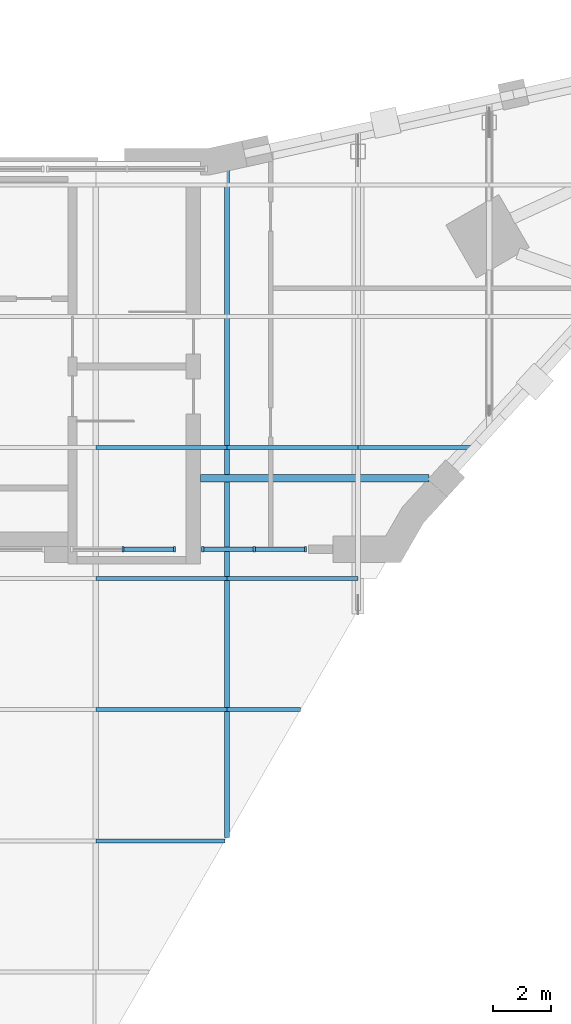
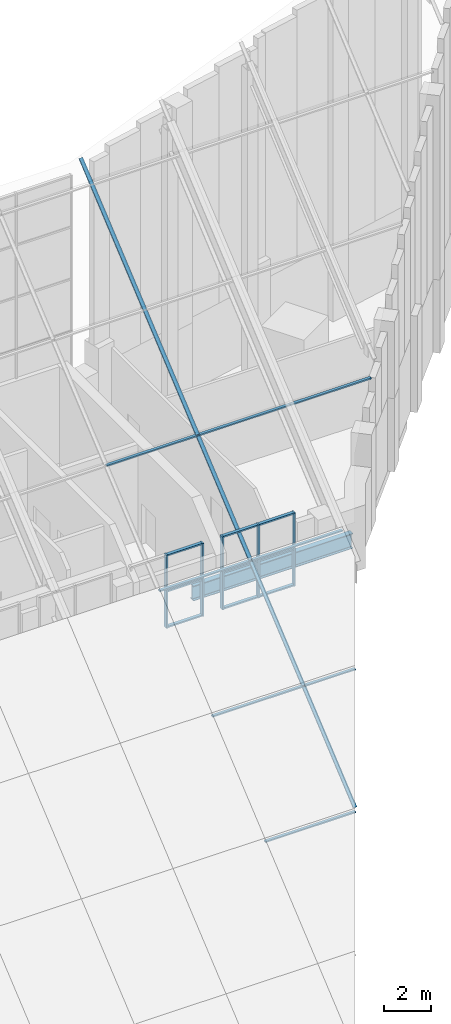
# One storey, part 5 of 19: 23 members, 1 beam, 5 elements without a shape of their own.
"""IFC4 building model written with IfcOpenShell, lengths in metres."""

from ifc_helpers import new_model, si_unit, direction, frame, origin, origin_2d, place, context, subcontext, project, spatial, rectangle, i_section, extrude, material, material_profile, profile_set, type_object, element, aggregate, save


model = new_model("IFC4")

# Units and contexts
model_context = context("Model", 3, precision=1e-05, world=origin(), true_north=direction((0.0, 1.0)))
body_context = subcontext(model_context, "Body", "Model", "MODEL_VIEW")
ifc_project = project(units=[si_unit("LENGTHUNIT", "METRE"), si_unit("AREAUNIT", "SQUARE_METRE"), si_unit("VOLUMEUNIT", "CUBIC_METRE"), si_unit("PLANEANGLEUNIT", "RADIAN"), si_unit("MASSUNIT", "GRAM", prefix="KILO")], contexts=[model_context])

# Site, building, storey
site_placement = place(None, origin())
site = spatial("IfcSite", under=ifc_project, at=site_placement, CompositionType="ELEMENT")
building_placement = place(site_placement, origin())
building = spatial("IfcBuilding", under=site, at=building_placement, Name="Calabash Gate Tower", CompositionType="ELEMENT")
storey_placement = place(building_placement, frame((0.0, 0.0, 335.5)))
storey = spatial("IfcBuildingStorey", under=building, at=storey_placement, Name="L78", CompositionType="ELEMENT", Elevation=335.5)

# Beam
ifc_material_1 = material(Name="Steel ASTM A992 Gr50", Category="steel")
ifc_material_profile_1 = material_profile(ifc_material_1, i_section(OverallWidth=0.2666015625, OverallDepth=0.77978515625, WebThickness=0.0166015625, FlangeThickness=0.030029296875, FilletRadius=0.0166015625, at=origin_2d()))
ifc_profile_set_1 = profile_set([ifc_material_profile_1], Name="Steel ASTM A992 Gr50")
beam_type = type_object("IfcBeamType", Name="Girder W30x148 ASTM A992 Gr50", PredefinedType="BEAM", material=ifc_profile_set_1)
beam_placement = place(storey_placement, frame((20.43310546875, 8.18701171875, -0.590087890625), z_axis=(-1.0, 0.0, 0.0), x_axis=(0.0, -1.0, 0.0)))
element("IfcBeam", 1, at=beam_placement, inside=storey, type_object=beam_type, Name="Girder L78 2", PredefinedType="BEAM", context=body_context, shape_type="SweptSolid", body=[
    extrude(i_section(OverallWidth=0.2666015625, OverallDepth=0.77978515625, WebThickness=0.0166015625, FlangeThickness=0.030029296875, FilletRadius=0.0166015625, at=origin_2d()), origin(), (0.0, 0.0, 1.0), 7.8330078125),
])

# Curtain wall, member
ifc_material_2 = material(Name="Anodised aluminium frame, bronze finish, clear laminated low-emissivity glazing", Category="aluminium")
curtain_wall_type_1 = type_object("IfcCurtainWallType", Name="Curtain wall CWC crown roof glazing", PredefinedType="NOTDEFINED", material=ifc_material_2)
curtain_wall_1_placement = place(storey_placement, origin())
curtain_wall_1 = element("IfcCurtainWall", 2, at=curtain_wall_1_placement, inside=storey, type_object=curtain_wall_type_1, Name="Curtain wall CWC roof glazing strip 9", PredefinedType="NOTDEFINED")
ifc_material_3 = material(Name="Anodised aluminium frame, bronze finish", Category="aluminium")
ifc_material_profile_2 = material_profile(ifc_material_3, rectangle(XDim=0.179931640625, YDim=0.06494140625, at=origin_2d()))
ifc_profile_set_2 = profile_set([ifc_material_profile_2], Name="Anodised aluminium frame, bronze finish")
member_type_1 = type_object("IfcMemberType", Name="Mullion CWC 65x180", PredefinedType="MULLION", material=ifc_profile_set_2)
member_1_placement = place(storey_placement, frame((13.5, -4.124755859375, -4.607177734375), z_axis=(0.0, 0.766041050336, 0.642791653026), x_axis=(-1.0, 0.0, 0.0)))
member_1 = element("IfcMember", 3, at=member_1_placement, type_object=member_type_1, Name="CWC roof mullion 9.1", PredefinedType="MULLION", context=body_context, shape_type="SweptSolid", body=[
    extrude(rectangle(XDim=0.179931640625, YDim=0.06494140625, at=origin_2d()), origin(), (0.0, 0.0, 1.0), 30.43408203125),
])

# Curtain wall, members
ifc_material_4 = material(Name="Anodised aluminium frame, bronze finish, clear laminated impact-rated glazing", Category="aluminium")
curtain_wall_type_2 = type_object("IfcCurtainWallType", Name="Curtain wall CWV crown wall", PredefinedType="NOTDEFINED", material=ifc_material_4)
curtain_wall_2_placement = place(storey_placement, origin())
curtain_wall_2 = element("IfcCurtainWall", 4, at=curtain_wall_2_placement, inside=storey, type_object=curtain_wall_type_2, Name="Curtain wall CWV L78 crown1.6", PredefinedType="NOTDEFINED")
ifc_material_5 = material(Name="Anodised aluminium frame, bronze finish", Category="aluminium")
ifc_material_profile_3 = material_profile(ifc_material_5, rectangle(XDim=0.199951171875, YDim=0.074951171875, at=origin_2d()))
ifc_profile_set_3 = profile_set([ifc_material_profile_3], Name="Anodised aluminium frame, bronze finish")
member_type_2 = type_object("IfcMemberType", Name="Mullion CWV 75x200", PredefinedType="MULLION", material=ifc_profile_set_3)
member_2_placement = place(storey_placement, frame((9.93603515625, 5.75439453125, 0.0), z_axis=(0.0, 0.0, 1.0), x_axis=(0.0, 1.0, 0.0)))
member_2 = element("IfcMember", 5, at=member_2_placement, type_object=member_type_2, Name="CWV mullion 2", PredefinedType="MULLION", context=body_context, shape_type="SweptSolid", body=[
    extrude(rectangle(XDim=0.199951171875, YDim=0.074951171875, at=origin_2d()), origin(), (0.0, 0.0, 1.0), 3.800048828125),
])
member_3_placement = place(storey_placement, frame((11.698486328125, 5.75439453125, 0.0), z_axis=(0.0, 0.0, 1.0), x_axis=(0.0, 1.0, 0.0)))
member_3 = element("IfcMember", 6, at=member_3_placement, type_object=member_type_2, Name="CWV mullion 3", PredefinedType="MULLION", context=body_context, shape_type="SweptSolid", body=[
    extrude(rectangle(XDim=0.199951171875, YDim=0.074951171875, at=origin_2d()), origin(), (0.0, 0.0, 1.0), 3.800048828125),
])

curtain_wall_3_placement = place(storey_placement, origin())
curtain_wall_3 = element("IfcCurtainWall", 7, at=curtain_wall_3_placement, inside=storey, type_object=curtain_wall_type_2, Name="Curtain wall CWV L78 crown1.7", PredefinedType="NOTDEFINED")
member_4_placement = place(storey_placement, frame((12.67333984375, 5.75439453125, 0.0), z_axis=(0.0, 0.0, 1.0), x_axis=(0.0, 1.0, 0.0)))
member_4 = element("IfcMember", 8, at=member_4_placement, type_object=member_type_2, Name="CWV mullion 1", PredefinedType="MULLION", context=body_context, shape_type="SweptSolid", body=[
    extrude(rectangle(XDim=0.199951171875, YDim=0.074951171875, at=origin_2d()), origin(), (0.0, 0.0, 1.0), 3.800048828125),
])
member_5_placement = place(storey_placement, frame((14.43603515625, 5.75439453125, 0.0), z_axis=(0.0, 0.0, 1.0), x_axis=(0.0, 1.0, 0.0)))
member_5 = element("IfcMember", 9, at=member_5_placement, type_object=member_type_2, Name="CWV mullion 2", PredefinedType="MULLION", context=body_context, shape_type="SweptSolid", body=[
    extrude(rectangle(XDim=0.199951171875, YDim=0.074951171875, at=origin_2d()), origin(), (0.0, 0.0, 1.0), 3.800048828125),
])
member_6_placement = place(storey_placement, frame((16.198486328125, 5.75439453125, 0.0), z_axis=(0.0, 0.0, 1.0), x_axis=(0.0, 1.0, 0.0)))
member_6 = element("IfcMember", 10, at=member_6_placement, type_object=member_type_2, Name="CWV mullion 3", PredefinedType="MULLION", context=body_context, shape_type="SweptSolid", body=[
    extrude(rectangle(XDim=0.199951171875, YDim=0.074951171875, at=origin_2d()), origin(), (0.0, 0.0, 1.0), 3.800048828125),
])

curtain_wall_4_placement = place(storey_placement, origin())
curtain_wall_4 = element("IfcCurtainWall", 11, at=curtain_wall_4_placement, inside=storey, type_object=curtain_wall_type_1, Name="Curtain wall CWC roof glazing strip 8", PredefinedType="NOTDEFINED")
ifc_material_6 = material(Name="Anodised aluminium frame, bronze finish", Category="aluminium")
ifc_material_profile_4 = material_profile(ifc_material_6, rectangle(XDim=0.139892578125, YDim=0.06494140625, at=origin_2d()))
ifc_profile_set_4 = profile_set([ifc_material_profile_4], Name="Anodised aluminium frame, bronze finish")
member_type_3 = type_object("IfcMemberType", Name="Transom CWC 65x140", PredefinedType="USERDEFINED", material=ifc_profile_set_4)
member_7_placement = place(storey_placement, frame((9.0, -4.251953125, -4.713623046875), z_axis=(1.0, 0.0, 0.0), x_axis=(0.0, 1.0, 0.0)))
member_7 = element("IfcMember", 12, at=member_7_placement, type_object=member_type_3, Name="CWC roof transom 8.2", ObjectType="TRANSOM", PredefinedType="USERDEFINED", context=body_context, shape_type="SweptSolid", body=[
    extrude(rectangle(XDim=0.139892578125, YDim=0.06494140625, at=origin_2d()), origin(), (0.0, 0.0, 1.0), 4.4267578125),
])
member_8_placement = place(storey_placement, frame((9.0, 0.248046875, -0.937744140625), z_axis=(1.0, 0.0, 0.0), x_axis=(0.0, 1.0, 0.0)))
member_8 = element("IfcMember", 13, at=member_8_placement, type_object=member_type_3, Name="CWC roof transom 8.3", ObjectType="TRANSOM", PredefinedType="USERDEFINED", context=body_context, shape_type="SweptSolid", body=[
    extrude(rectangle(XDim=0.139892578125, YDim=0.06494140625, at=origin_2d()), origin(), (0.0, 0.0, 1.0), 4.5),
])
member_9_placement = place(storey_placement, frame((9.0, 4.748046875, 2.838134765625), z_axis=(1.0, 0.0, 0.0), x_axis=(0.0, 1.0, 0.0)))
member_9 = element("IfcMember", 14, at=member_9_placement, type_object=member_type_3, Name="CWC roof transom 8.4", ObjectType="TRANSOM", PredefinedType="USERDEFINED", context=body_context, shape_type="SweptSolid", body=[
    extrude(rectangle(XDim=0.139892578125, YDim=0.06494140625, at=origin_2d()), origin(), (0.0, 0.0, 1.0), 4.5),
])
member_10_placement = place(storey_placement, frame((9.0, 9.248046875, 6.6142578125), z_axis=(1.0, 0.0, 0.0), x_axis=(0.0, 1.0, 0.0)))
member_10 = element("IfcMember", 15, at=member_10_placement, type_object=member_type_3, Name="CWC roof transom 8.5", ObjectType="TRANSOM", PredefinedType="USERDEFINED", context=body_context, shape_type="SweptSolid", body=[
    extrude(rectangle(XDim=0.139892578125, YDim=0.06494140625, at=origin_2d()), origin(), (0.0, 0.0, 1.0), 4.5),
])
aggregate(curtain_wall_4, [member_7, member_8, member_9, member_10])

# Member
member_11_placement = place(storey_placement, frame((13.5, 0.248046875, -0.937744140625), z_axis=(1.0, 0.0, 0.0), x_axis=(0.0, 1.0, 0.0)))
member_11 = element("IfcMember", 16, at=member_11_placement, type_object=member_type_3, Name="CWC roof transom 9.1", ObjectType="TRANSOM", PredefinedType="USERDEFINED", context=body_context, shape_type="SweptSolid", body=[
    extrude(rectangle(XDim=0.139892578125, YDim=0.06494140625, at=origin_2d()), origin(), (0.0, 0.0, 1.0), 2.524658203125),
])

member_12_placement = place(storey_placement, frame((13.5, 4.748046875, 2.838134765625), z_axis=(1.0, 0.0, 0.0), x_axis=(0.0, 1.0, 0.0)))
member_12 = element("IfcMember", 17, at=member_12_placement, type_object=member_type_3, Name="CWC roof transom 9.2", ObjectType="TRANSOM", PredefinedType="USERDEFINED", context=body_context, shape_type="SweptSolid", body=[
    extrude(rectangle(XDim=0.139892578125, YDim=0.06494140625, at=origin_2d()), origin(), (0.0, 0.0, 1.0), 4.5),
])

member_13_placement = place(storey_placement, frame((13.5, 9.248046875, 6.6142578125), z_axis=(1.0, 0.0, 0.0), x_axis=(0.0, 1.0, 0.0)))
member_13 = element("IfcMember", 18, at=member_13_placement, type_object=member_type_3, Name="CWC roof transom 9.3", ObjectType="TRANSOM", PredefinedType="USERDEFINED", context=body_context, shape_type="SweptSolid", body=[
    extrude(rectangle(XDim=0.139892578125, YDim=0.06494140625, at=origin_2d()), origin(), (0.0, 0.0, 1.0), 4.5),
])

aggregate(curtain_wall_1, [member_1, member_11, member_12, member_13])

# Curtain wall, member
curtain_wall_5_placement = place(storey_placement, origin())
curtain_wall_5 = element("IfcCurtainWall", 19, at=curtain_wall_5_placement, inside=storey, type_object=curtain_wall_type_1, Name="Curtain wall CWC roof glazing strip 10", PredefinedType="NOTDEFINED")
member_14_placement = place(storey_placement, frame((18.0, 9.248046875, 6.6142578125), z_axis=(1.0, 0.0, 0.0), x_axis=(0.0, 1.0, 0.0)))
member_14 = element("IfcMember", 20, at=member_14_placement, type_object=member_type_3, Name="CWC roof transom 10.1", ObjectType="TRANSOM", PredefinedType="USERDEFINED", context=body_context, shape_type="SweptSolid", body=[
    extrude(rectangle(XDim=0.139892578125, YDim=0.06494140625, at=origin_2d()), origin(), (0.0, 0.0, 1.0), 4.0029296875),
])
aggregate(curtain_wall_5, [member_14])

# Member
ifc_material_7 = material(Name="Anodised aluminium frame, bronze finish", Category="aluminium")
ifc_material_profile_5 = material_profile(ifc_material_7, rectangle(XDim=0.159912109375, YDim=0.074951171875, at=origin_2d()))
ifc_profile_set_5 = profile_set([ifc_material_profile_5], Name="Anodised aluminium frame, bronze finish")
member_type_4 = type_object("IfcMemberType", Name="Transom CWV 75x160", PredefinedType="USERDEFINED", material=ifc_profile_set_5)
member_15_placement = place(storey_placement, frame((9.973388671875, 5.75439453125, 0.03759765625), z_axis=(1.0, 0.0, 0.0), x_axis=(0.0, 1.0, 0.0)))
member_15 = element("IfcMember", 21, at=member_15_placement, type_object=member_type_4, Name="CWV transom 2.1", ObjectType="TRANSOM", PredefinedType="USERDEFINED", context=body_context, shape_type="SweptSolid", body=[
    extrude(rectangle(XDim=0.159912109375, YDim=0.074951171875, at=origin_2d()), origin(), (0.0, 0.0, 1.0), 1.6875),
])

member_16_placement = place(storey_placement, frame((9.973388671875, 5.75439453125, 1.89990234375), z_axis=(1.0, 0.0, 0.0), x_axis=(0.0, 1.0, 0.0)))
member_16 = element("IfcMember", 22, at=member_16_placement, type_object=member_type_4, Name="CWV transom 2.2", ObjectType="TRANSOM", PredefinedType="USERDEFINED", context=body_context, shape_type="SweptSolid", body=[
    extrude(rectangle(XDim=0.159912109375, YDim=0.074951171875, at=origin_2d()), origin(), (0.0, 0.0, 1.0), 1.6875),
])

member_17_placement = place(storey_placement, frame((9.973388671875, 5.75439453125, 3.762451171875), z_axis=(1.0, 0.0, 0.0), x_axis=(0.0, 1.0, 0.0)))
member_17 = element("IfcMember", 23, at=member_17_placement, type_object=member_type_4, Name="CWV transom 2.3", ObjectType="TRANSOM", PredefinedType="USERDEFINED", context=body_context, shape_type="SweptSolid", body=[
    extrude(rectangle(XDim=0.159912109375, YDim=0.074951171875, at=origin_2d()), origin(), (0.0, 0.0, 1.0), 1.6875),
])

aggregate(curtain_wall_2, [member_2, member_3, member_15, member_16, member_17])

member_18_placement = place(storey_placement, frame((12.7109375, 5.75439453125, 0.03759765625), z_axis=(1.0, 0.0, 0.0), x_axis=(0.0, 1.0, 0.0)))
member_18 = element("IfcMember", 24, at=member_18_placement, type_object=member_type_4, Name="CWV transom 1.1", ObjectType="TRANSOM", PredefinedType="USERDEFINED", context=body_context, shape_type="SweptSolid", body=[
    extrude(rectangle(XDim=0.159912109375, YDim=0.074951171875, at=origin_2d()), origin(), (0.0, 0.0, 1.0), 1.6875),
])

member_19_placement = place(storey_placement, frame((12.7109375, 5.75439453125, 1.89990234375), z_axis=(1.0, 0.0, 0.0), x_axis=(0.0, 1.0, 0.0)))
member_19 = element("IfcMember", 25, at=member_19_placement, type_object=member_type_4, Name="CWV transom 1.2", ObjectType="TRANSOM", PredefinedType="USERDEFINED", context=body_context, shape_type="SweptSolid", body=[
    extrude(rectangle(XDim=0.159912109375, YDim=0.074951171875, at=origin_2d()), origin(), (0.0, 0.0, 1.0), 1.6875),
])

member_20_placement = place(storey_placement, frame((12.7109375, 5.75439453125, 3.762451171875), z_axis=(1.0, 0.0, 0.0), x_axis=(0.0, 1.0, 0.0)))
member_20 = element("IfcMember", 26, at=member_20_placement, type_object=member_type_4, Name="CWV transom 1.3", ObjectType="TRANSOM", PredefinedType="USERDEFINED", context=body_context, shape_type="SweptSolid", body=[
    extrude(rectangle(XDim=0.159912109375, YDim=0.074951171875, at=origin_2d()), origin(), (0.0, 0.0, 1.0), 1.6875),
])

member_21_placement = place(storey_placement, frame((14.473388671875, 5.75439453125, 0.03759765625), z_axis=(1.0, 0.0, 0.0), x_axis=(0.0, 1.0, 0.0)))
member_21 = element("IfcMember", 27, at=member_21_placement, type_object=member_type_4, Name="CWV transom 2.1", ObjectType="TRANSOM", PredefinedType="USERDEFINED", context=body_context, shape_type="SweptSolid", body=[
    extrude(rectangle(XDim=0.159912109375, YDim=0.074951171875, at=origin_2d()), origin(), (0.0, 0.0, 1.0), 1.6875),
])

member_22_placement = place(storey_placement, frame((14.473388671875, 5.75439453125, 1.89990234375), z_axis=(1.0, 0.0, 0.0), x_axis=(0.0, 1.0, 0.0)))
member_22 = element("IfcMember", 28, at=member_22_placement, type_object=member_type_4, Name="CWV transom 2.2", ObjectType="TRANSOM", PredefinedType="USERDEFINED", context=body_context, shape_type="SweptSolid", body=[
    extrude(rectangle(XDim=0.159912109375, YDim=0.074951171875, at=origin_2d()), origin(), (0.0, 0.0, 1.0), 1.6875),
])

member_23_placement = place(storey_placement, frame((14.473388671875, 5.75439453125, 3.762451171875), z_axis=(1.0, 0.0, 0.0), x_axis=(0.0, 1.0, 0.0)))
member_23 = element("IfcMember", 29, at=member_23_placement, type_object=member_type_4, Name="CWV transom 2.3", ObjectType="TRANSOM", PredefinedType="USERDEFINED", context=body_context, shape_type="SweptSolid", body=[
    extrude(rectangle(XDim=0.159912109375, YDim=0.074951171875, at=origin_2d()), origin(), (0.0, 0.0, 1.0), 1.6875),
])

aggregate(curtain_wall_3, [member_4, member_5, member_6, member_18, member_19, member_20, member_21, member_22, member_23])

save(model, "model.ifc")
